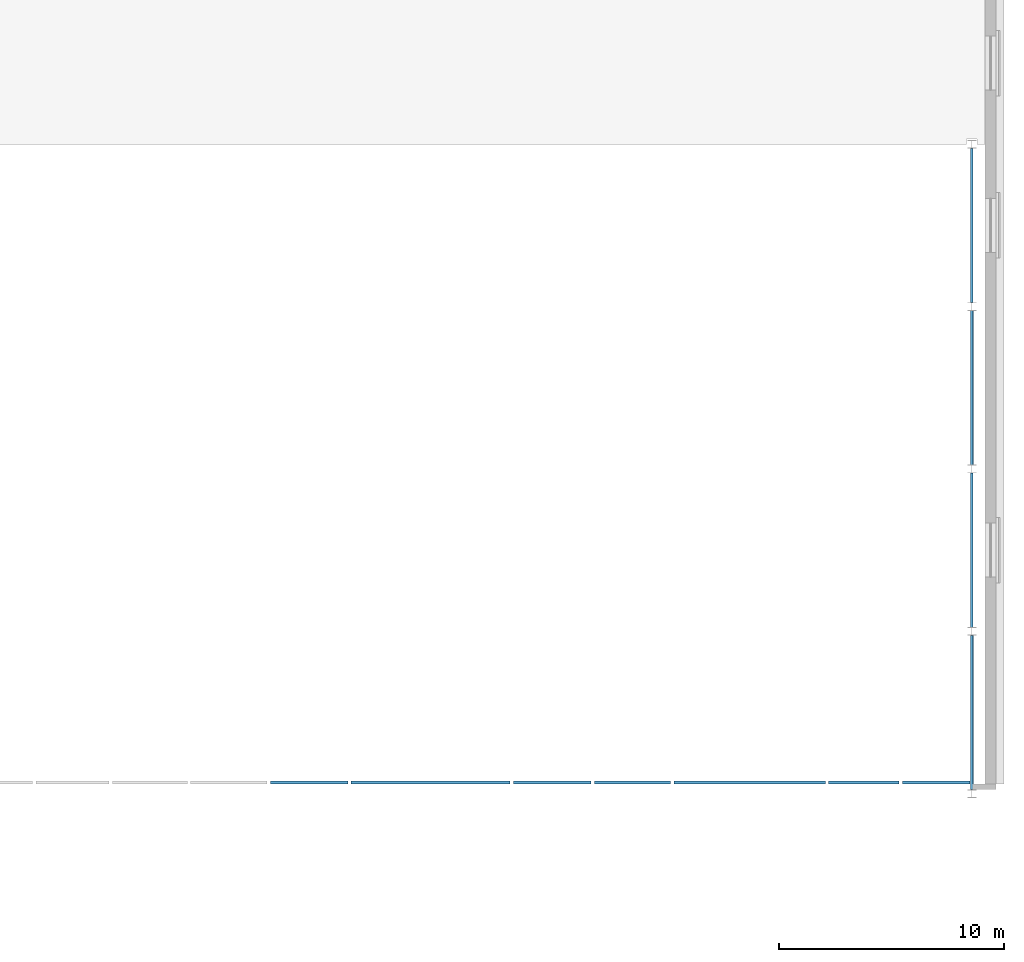
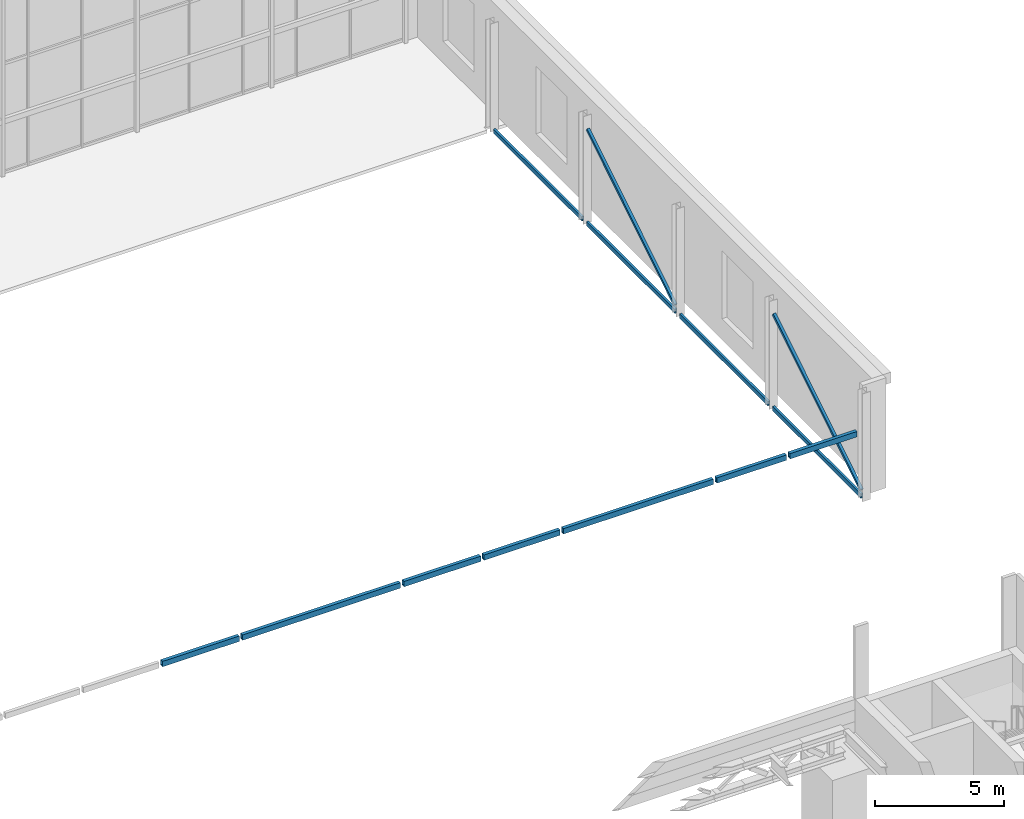
# One storey, part 36 of 93: 11 beams, 2 members.
"""IFC4 building model written with IfcOpenShell, lengths in metres."""

from ifc_helpers import new_model, si_unit, direction, frame, origin, origin_2d, place, context, subcontext, project, spatial, hollow_rectangle, extrude, material, material_profile, profile_set, type_object, element, save


model = new_model("IFC4")

# Units and contexts
model_context = context("Model", 3, precision=1e-05, world=origin(), true_north=direction((0.0, 1.0)))
body_context = subcontext(model_context, "Body", "Model", "MODEL_VIEW")
ifc_project = project(units=[si_unit("LENGTHUNIT", "METRE"), si_unit("AREAUNIT", "SQUARE_METRE"), si_unit("VOLUMEUNIT", "CUBIC_METRE"), si_unit("PLANEANGLEUNIT", "RADIAN"), si_unit("MASSUNIT", "GRAM", prefix="KILO")], contexts=[model_context])

# Site, building, storey
site_placement = place(None, origin())
site = spatial("IfcSite", under=ifc_project, at=site_placement, CompositionType="ELEMENT")
building_placement = place(site_placement, origin())
building = spatial("IfcBuilding", under=site, at=building_placement, Name="Verrick Yard Athletic Hall", CompositionType="ELEMENT")
storey_placement = place(building_placement, frame((0.0, 0.0, 8.800048828125)))
storey = spatial("IfcBuildingStorey", under=building, at=storey_placement, Name="L02", CompositionType="ELEMENT", Elevation=8.800048828125)

# Beams
ifc_material = material(Name="Structural steel HSS Class C 350W (CSA G40.20/G40.21)", Category="steel")
ifc_material_profile_1 = material_profile(ifc_material, hollow_rectangle(XDim=0.1015625, YDim=0.203125, WallThickness=0.009521484375, at=origin_2d()), Name="HSS203x102x9.5")
ifc_profile_set_1 = profile_set([ifc_material_profile_1], Name="Structural steel HSS Class C 350W (CSA G40.20/G40.21)")
beam_type_1 = type_object("IfcBeamType", Name="HB eaves girt HSS203x102x9.5", PredefinedType="BEAM", material=ifc_profile_set_1)
for number, where, z_axis, x_axis, name in (
    (1, (169.60009765625, 72.177978515625, 0.0), (0.0, 1.0, 0.0), (-1.0, 0.0, 0.0), "HB-GT-AE-1-L02"),
    (2, (169.60009765625, 79.3779296875, 0.0), (0.0, 1.0, 0.0), (-1.0, 0.0, 0.0), "HB-GT-AE-2-L02"),
):
    element("IfcBeam", number, at=place(storey_placement, frame(where, z_axis=z_axis, x_axis=x_axis)), inside=storey, type_object=beam_type_1, Name=name, PredefinedType="BEAM", context=body_context, shape_type="SweptSolid", body=[
        extrude(hollow_rectangle(XDim=0.1015625, YDim=0.203125, WallThickness=0.009521484375, at=origin_2d()), origin(), (0.0, 0.0, 1.0), 6.843994140625),
    ])
beam_1_placement = place(storey_placement, frame((169.60009765625, 86.577880859375, 0.0), z_axis=(0.0, 1.0, 0.0), x_axis=(-1.0, 0.0, 0.0)))
element("IfcBeam", 3, at=beam_1_placement, inside=storey, type_object=beam_type_1, Name="HB-GT-AE-3-L02", PredefinedType="BEAM", context=body_context, shape_type="SweptSolid", body=[
    extrude(hollow_rectangle(XDim=0.1015625, YDim=0.203125, WallThickness=0.009521484375, at=origin_2d()), origin(), (0.0, 0.0, 1.0), 6.84423828125),
])
beam_2_placement = place(storey_placement, frame((169.60009765625, 93.778076171875, 0.0), z_axis=(0.0, 1.0, 0.0), x_axis=(-1.0, 0.0, 0.0)))
element("IfcBeam", 4, at=beam_2_placement, inside=storey, type_object=beam_type_1, Name="HB-GT-AE-4-L02", PredefinedType="BEAM", context=body_context, shape_type="SweptSolid", body=[
    extrude(hollow_rectangle(XDim=0.1015625, YDim=0.203125, WallThickness=0.009521484375, at=origin_2d()), origin(), (0.0, 0.0, 1.0), 6.843994140625),
])

# Members
ifc_material_profile_2 = material_profile(ifc_material, hollow_rectangle(XDim=0.126953125, YDim=0.126953125, WallThickness=0.009521484375, at=origin_2d()), Name="HSS127x127x9.5")
ifc_profile_set_2 = profile_set([ifc_material_profile_2], Name="Structural steel HSS Class C 350W (CSA G40.20/G40.21)")
member_type = type_object("IfcMemberType", Name="HB wall brace HSS127x127x9.5", PredefinedType="BRACE", material=ifc_profile_set_2)
member_1_placement = place(storey_placement, frame((169.60009765625, 72.21142578125, 0.272216796875), z_axis=(0.0, 0.850212270843, 0.526440019858), x_axis=(-1.0, 0.0, 0.0)))
element("IfcMember", 5, at=member_1_placement, inside=storey, type_object=member_type, Name="HB-BRW-AE-1-L02", PredefinedType="BRACE", context=body_context, shape_type="SweptSolid", body=[
    extrude(hollow_rectangle(XDim=0.126953125, YDim=0.126953125, WallThickness=0.009521484375, at=origin_2d()), origin(), (0.0, 0.0, 1.0), 7.970947265625),
])
member_2_placement = place(storey_placement, frame((169.60009765625, 86.611328125, 0.272216796875), z_axis=(0.0, 0.850220758823, 0.526426311335), x_axis=(-1.0, 0.0, 0.0)))
element("IfcMember", 6, at=member_2_placement, inside=storey, type_object=member_type, Name="HB-BRW-AE-3-L02", PredefinedType="BRACE", context=body_context, shape_type="SweptSolid", body=[
    extrude(hollow_rectangle(XDim=0.126953125, YDim=0.126953125, WallThickness=0.009521484375, at=origin_2d()), origin(), (0.0, 0.0, 1.0), 7.97119140625),
])

# Beams
ifc_material_profile_3 = material_profile(ifc_material, hollow_rectangle(XDim=0.15234375, YDim=0.25390625, WallThickness=0.009521484375, at=origin_2d()), Name="HSS254x152x9.5")
ifc_profile_set_3 = profile_set([ifc_material_profile_3], Name="Structural steel HSS Class C 350W (CSA G40.20/G40.21)")
beam_type_2 = type_object("IfcBeamType", Name="HB wind girder HSS254x152x9.5", PredefinedType="BEAM", material=ifc_profile_set_3)
beam_3_placement = place(storey_placement, frame((138.49169921875, 72.49462890625, 2.800048828125), z_axis=(1.0, 0.0, 0.0), x_axis=(0.0, 1.0, 0.0)))
element("IfcBeam", 7, at=beam_3_placement, inside=storey, type_object=beam_type_2, Name="HB-WG-AS-116-5", PredefinedType="BEAM", context=body_context, shape_type="SweptSolid", body=[
    extrude(hollow_rectangle(XDim=0.15234375, YDim=0.25390625, WallThickness=0.009521484375, at=origin_2d()), origin(), (0.0, 0.0, 1.0), 3.4287109375),
])
beam_4_placement = place(storey_placement, frame((142.072998046875, 72.49462890625, 2.800048828125), z_axis=(1.0, 0.0, 0.0), x_axis=(0.0, 1.0, 0.0)))
element("IfcBeam", 8, at=beam_4_placement, inside=storey, type_object=beam_type_2, Name="HB-WG-AS-116-6", PredefinedType="BEAM", context=body_context, shape_type="SweptSolid", body=[
    extrude(hollow_rectangle(XDim=0.15234375, YDim=0.25390625, WallThickness=0.009521484375, at=origin_2d()), origin(), (0.0, 0.0, 1.0), 7.05419921875),
])
beam_5_placement = place(storey_placement, frame((149.279541015625, 72.49462890625, 2.800048828125), z_axis=(1.0, 0.0, 0.0), x_axis=(0.0, 1.0, 0.0)))
element("IfcBeam", 9, at=beam_5_placement, inside=storey, type_object=beam_type_2, Name="HB-WG-AS-116-7", PredefinedType="BEAM", context=body_context, shape_type="SweptSolid", body=[
    extrude(hollow_rectangle(XDim=0.15234375, YDim=0.25390625, WallThickness=0.009521484375, at=origin_2d()), origin(), (0.0, 0.0, 1.0), 3.4287109375),
])
beam_6_placement = place(storey_placement, frame((152.860595703125, 72.49462890625, 2.800048828125), z_axis=(1.0, 0.0, 0.0), x_axis=(0.0, 1.0, 0.0)))
element("IfcBeam", 10, at=beam_6_placement, inside=storey, type_object=beam_type_2, Name="HB-WG-AS-116-8", PredefinedType="BEAM", context=body_context, shape_type="SweptSolid", body=[
    extrude(hollow_rectangle(XDim=0.15234375, YDim=0.25390625, WallThickness=0.009521484375, at=origin_2d()), origin(), (0.0, 0.0, 1.0), 3.384521484375),
])
beam_7_placement = place(storey_placement, frame((156.397705078125, 72.49462890625, 2.800048828125), z_axis=(1.0, 0.0, 0.0), x_axis=(0.0, 1.0, 0.0)))
element("IfcBeam", 11, at=beam_7_placement, inside=storey, type_object=beam_type_2, Name="HB-WG-AS-116-9", PredefinedType="BEAM", context=body_context, shape_type="SweptSolid", body=[
    extrude(hollow_rectangle(XDim=0.15234375, YDim=0.25390625, WallThickness=0.009521484375, at=origin_2d()), origin(), (0.0, 0.0, 1.0), 6.702392578125),
])
beam_8_placement = place(storey_placement, frame((163.252685546875, 72.49462890625, 2.800048828125), z_axis=(1.0, 0.0, 0.0), x_axis=(0.0, 1.0, 0.0)))
element("IfcBeam", 12, at=beam_8_placement, inside=storey, type_object=beam_type_2, Name="HB-WG-AS-116-10", PredefinedType="BEAM", context=body_context, shape_type="SweptSolid", body=[
    extrude(hollow_rectangle(XDim=0.15234375, YDim=0.25390625, WallThickness=0.009521484375, at=origin_2d()), origin(), (0.0, 0.0, 1.0), 3.123291015625),
])
beam_9_placement = place(storey_placement, frame((166.528564453125, 72.49462890625, 2.800048828125), z_axis=(1.0, 0.0, 0.0), x_axis=(0.0, 1.0, 0.0)))
element("IfcBeam", 13, at=beam_9_placement, inside=storey, type_object=beam_type_2, Name="HB-WG-AS-116-11", PredefinedType="BEAM", context=body_context, shape_type="SweptSolid", body=[
    extrude(hollow_rectangle(XDim=0.15234375, YDim=0.25390625, WallThickness=0.009521484375, at=origin_2d()), origin(), (0.0, 0.0, 1.0), 2.9951171875),
])

save(model, "model.ifc")
